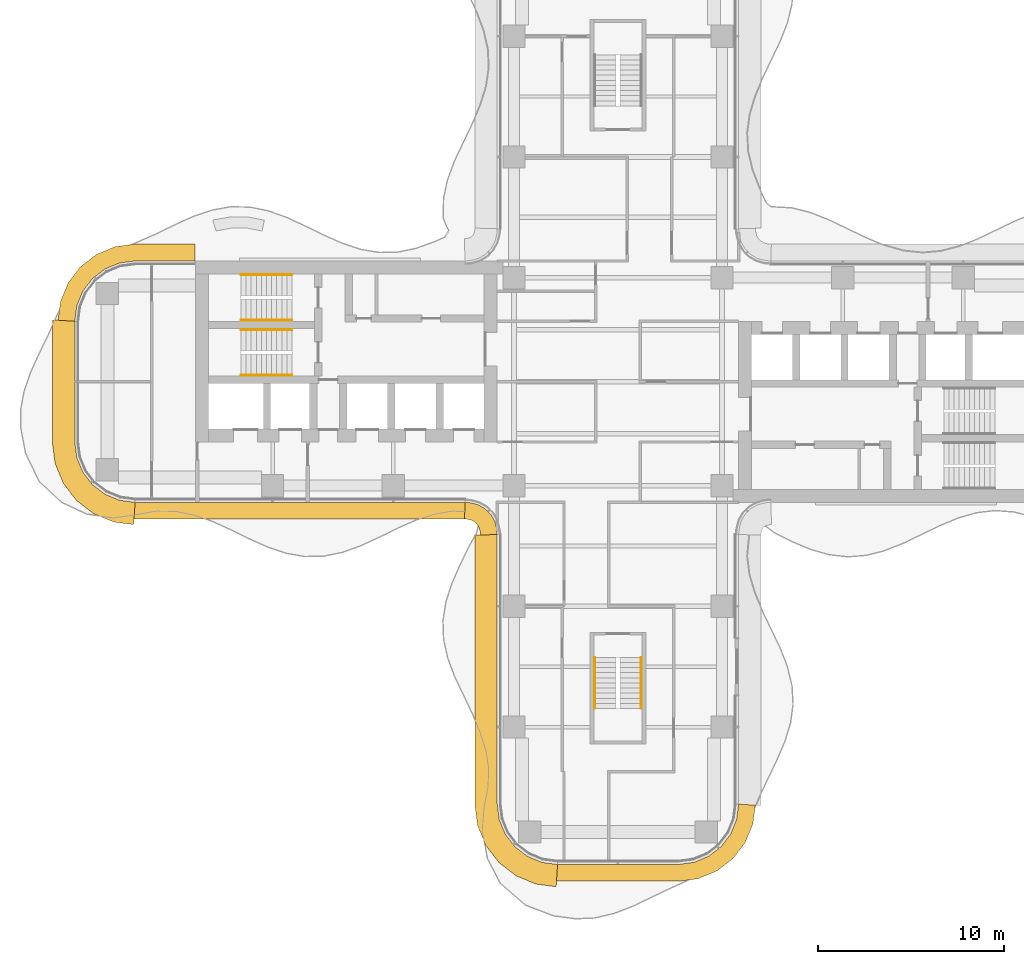
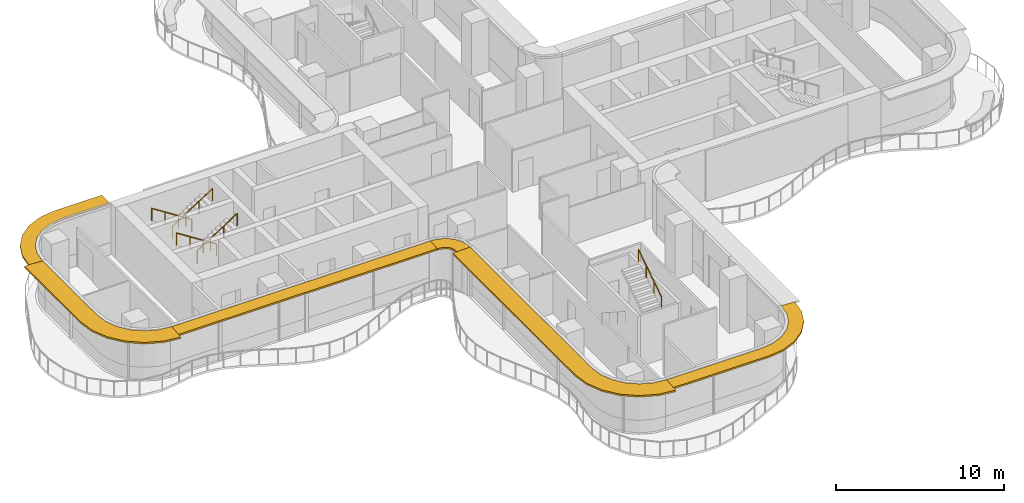
# One storey, part 16 of 17: 6 railings, 6 shading devices.
"""IFC4 building model written with IfcOpenShell, lengths in metres."""

from ifc_helpers import new_model, si_unit, direction, frame, origin, origin_2d, place, context, subcontext, project, spatial, polyline, circle, outline, extrude, source, transform, mapped, material, layer, layer_set, type_object, element, save


model = new_model("IFC4")

# Units and contexts
model_context = context("Model", 3, precision=1e-05, world=origin(), true_north=direction((0.0, 1.0)))
body_context = subcontext(model_context, "Body", "Model", "MODEL_VIEW")
ifc_project = project(units=[si_unit("LENGTHUNIT", "METRE"), si_unit("AREAUNIT", "SQUARE_METRE"), si_unit("VOLUMEUNIT", "CUBIC_METRE"), si_unit("PLANEANGLEUNIT", "RADIAN"), si_unit("MASSUNIT", "GRAM", prefix="KILO")], contexts=[model_context])

# Site, building, storey
site_placement = place(None, origin())
site = spatial("IfcSite", under=ifc_project, at=site_placement, CompositionType="ELEMENT")
building_placement = place(site_placement, origin())
building = spatial("IfcBuilding", under=site, at=building_placement, Name="Trellis Farm Tower", CompositionType="ELEMENT")
storey_placement = place(building_placement, frame((0.0, 0.0, 165.89990234375)))
storey = spatial("IfcBuildingStorey", under=building, at=storey_placement, Name="L35", CompositionType="ELEMENT", Elevation=165.89990234375)

# Railings
ifc_material_1 = material(Name="Stainless steel", Category="steel")
railing_type = type_object("IfcRailingType", Name="STAIR HANDRAIL 900", PredefinedType="HANDRAIL", material=ifc_material_1)
shared_shape_1 = source(origin(), body_context, "Body", "SweptSolid", [
    extrude(circle(Radius=0.02392578125, at=origin_2d()), frame((0.0, 0.0, 0.8759765625), z_axis=(0.0, 0.840503830235, 0.541805602924), x_axis=(-1.0, 0.0, 0.0)), (0.0, 0.0, 1.0), 3.271728515625),
    extrude(circle(Radius=0.02099609375, at=origin_2d()), origin(), (0.0, 0.0, 1.0), 0.851806640625),
    extrude(circle(Radius=0.02099609375, at=origin_2d()), frame((0.0, 0.916748046875, 0.5908203125)), (0.0, 0.0, 1.0), 0.851806640625),
    extrude(circle(Radius=0.02099609375, at=origin_2d()), frame((0.0, 1.833251953125, 1.181884765625)), (0.0, 0.0, 1.0), 0.851806640625),
    extrude(circle(Radius=0.02099609375, at=origin_2d()), frame((0.0, 2.75, 1.772705078125)), (0.0, 0.0, 1.0), 0.851806640625),
])
railing_1_placement = place(storey_placement, frame((1.25, -17.60009765625, 2.12744140625)))
element("IfcRailing", 1, at=railing_1_placement, inside=storey, type_object=railing_type, Name="Stair handrail", PredefinedType="HANDRAIL", context=body_context, shape_type="MappedRepresentation", body=[
    mapped(shared_shape_1, transform((0.0, 0.0, 0.0))),
])
shared_shape_2 = source(origin(), body_context, "Body", "SweptSolid", [
    extrude(circle(Radius=0.02392578125, at=origin_2d()), frame((0.0, 0.0, 0.8759765625), z_axis=(0.0, -0.840503830235, 0.541805602924), x_axis=(1.0, 0.0, 0.0)), (0.0, 0.0, 1.0), 3.271728515625),
    extrude(circle(Radius=0.02099609375, at=origin_2d()), origin(), (0.0, 0.0, 1.0), 0.851806640625),
    extrude(circle(Radius=0.02099609375, at=origin_2d()), frame((0.0, -0.916748046875, 0.5908203125)), (0.0, 0.0, 1.0), 0.851806640625),
    extrude(circle(Radius=0.02099609375, at=origin_2d()), frame((0.0, -1.833251953125, 1.181884765625)), (0.0, 0.0, 1.0), 0.851806640625),
    extrude(circle(Radius=0.02099609375, at=origin_2d()), frame((0.0, -2.75, 1.772705078125)), (0.0, 0.0, 1.0), 0.851806640625),
])
railing_2_placement = place(storey_placement, frame((-1.25, -14.85009765625, 0.177490234375)))
element("IfcRailing", 2, at=railing_2_placement, inside=storey, type_object=railing_type, Name="Stair handrail", PredefinedType="HANDRAIL", context=body_context, shape_type="MappedRepresentation", body=[
    mapped(shared_shape_2, transform((0.0, 0.0, 0.0))),
])
shared_shape_3 = source(origin(), body_context, "Body", "SweptSolid", [
    extrude(circle(Radius=0.02392578125, at=origin_2d()), frame((0.0, 0.0, 0.8759765625), z_axis=(0.840503830235, 0.0, 0.541805602924), x_axis=(0.0, 1.0, 0.0)), (0.0, 0.0, 1.0), 3.271728515625),
    extrude(circle(Radius=0.02099609375, at=origin_2d()), origin(), (0.0, 0.0, 1.0), 0.851806640625),
    extrude(circle(Radius=0.02099609375, at=origin_2d()), frame((0.916748046875, 0.0, 0.5908203125)), (0.0, 0.0, 1.0), 0.851806640625),
    extrude(circle(Radius=0.02099609375, at=origin_2d()), frame((1.833251953125, 0.0, 1.181884765625)), (0.0, 0.0, 1.0), 0.851806640625),
    extrude(circle(Radius=0.02099609375, at=origin_2d()), frame((2.75, 0.0, 1.772705078125)), (0.0, 0.0, 1.0), 0.851806640625),
])
for number, where, name in (
    (3, (-20.300048828125, 3.300048828125, 2.12744140625), "Stair handrail"),
    (4, (-20.300048828125, 0.35009765625, 2.12744140625), "Stair handrail"),
):
    element("IfcRailing", number, at=place(storey_placement, frame(where)), inside=storey, type_object=railing_type, Name=name, PredefinedType="HANDRAIL", context=body_context, shape_type="MappedRepresentation", body=[
        mapped(shared_shape_3, transform((0.0, 0.0, 0.0))),
    ])
shared_shape_4 = source(origin(), body_context, "Body", "SweptSolid", [
    extrude(circle(Radius=0.02392578125, at=origin_2d()), frame((0.0, 0.0, 0.8759765625), z_axis=(-0.840503830235, 0.0, 0.541805602924), x_axis=(0.0, -1.0, 0.0)), (0.0, 0.0, 1.0), 3.271728515625),
    extrude(circle(Radius=0.02099609375, at=origin_2d()), origin(), (0.0, 0.0, 1.0), 0.851806640625),
    extrude(circle(Radius=0.02099609375, at=origin_2d()), frame((-0.916748046875, 0.0, 0.5908203125)), (0.0, 0.0, 1.0), 0.851806640625),
    extrude(circle(Radius=0.02099609375, at=origin_2d()), frame((-1.833251953125, 0.0, 1.181884765625)), (0.0, 0.0, 1.0), 0.851806640625),
    extrude(circle(Radius=0.02099609375, at=origin_2d()), frame((-2.75, 0.0, 1.772705078125)), (0.0, 0.0, 1.0), 0.851806640625),
])
for number, where, name in (
    (5, (-17.550048828125, 5.75, 0.177490234375), "Stair handrail"),
    (6, (-17.550048828125, 2.800048828125, 0.177490234375), "Stair handrail"),
):
    element("IfcRailing", number, at=place(storey_placement, frame(where)), inside=storey, type_object=railing_type, Name=name, PredefinedType="HANDRAIL", context=body_context, shape_type="MappedRepresentation", body=[
        mapped(shared_shape_4, transform((0.0, 0.0, 0.0))),
    ])

# Shading devices
ifc_material_2 = material(Name="Aluminium extrusion 6063-T6", Category="aluminium")
ifc_layer_1 = layer(ifc_material_2, 0.1201171875)
ifc_layer_set_1 = layer_set([ifc_layer_1], Name="SUNSHADE BLADE 900")
shading_device_type_1 = type_object("IfcShadingDeviceType", Name="SUNSHADE BLADE 900", PredefinedType="USERDEFINED", material=ifc_layer_set_1)
shared_shape_5 = source(origin(), body_context, "Body", "SweptSolid", [
    extrude(outline(polyline([(-8.2607421875, -7.39990234375), (-8.107666015625, -7.409912109375), (-8.091552734375, -7.412109375), (-7.85595703125, -7.475341796875), (-7.697021484375, -7.567138671875), (-7.567138671875, -7.697021484375), (-7.475341796875, -7.85595703125), (-7.412109375, -8.091552734375), (-7.409912109375, -8.107666015625), (-7.39990234375, -8.2607421875), (-6.5, -8.2314453125), (-6.513916015625, -8.01953125), (-6.527587890625, -7.91552734375), (-6.63671875, -7.508544921875), (-6.846923828125, -7.144287109375), (-7.144287109375, -6.846923828125), (-7.508544921875, -6.63671875), (-7.91552734375, -6.527587890625), (-8.01953125, -6.513916015625), (-8.2314453125, -6.5), (-8.2607421875, -7.39990234375)])), origin(), (0.0, 0.0, 1.0), 0.1201171875),
])
placement = place(storey_placement, frame((0.0, 0.0, 3.5400390625)))
element("IfcShadingDevice", 7, at=placement, inside=storey, type_object=shading_device_type_1, Name="SD1 002", ObjectType="SUNSHADE", PredefinedType="USERDEFINED", context=body_context, shape_type="MappedRepresentation", body=[
    mapped(shared_shape_5, transform((0.0, 0.0, 0.0))),
])
ifc_layer_2 = layer(ifc_material_2, 0.1201171875)
ifc_layer_set_2 = layer_set([ifc_layer_2], Name="SUNSHADE BLADE 1200")
shading_device_type_2 = type_object("IfcShadingDeviceType", Name="SUNSHADE BLADE 1200", PredefinedType="USERDEFINED", material=ifc_layer_set_2)
shared_shape_6 = source(origin(), body_context, "Body", "SweptSolid", [
    extrude(outline(polyline([(-7.699951171875, -8.270751953125), (-7.699951171875, -22.82861328125), (-7.558349609375, -23.904541015625), (-7.11279296875, -24.980224609375), (-6.404052734375, -25.904052734375), (-5.480224609375, -26.61279296875), (-4.404541015625, -27.058349609375), (-3.32861328125, -27.199951171875), (-3.25, -26.0), (-4.091064453125, -25.88916015625), (-4.875, -25.564697265625), (-5.548095703125, -25.048095703125), (-6.064697265625, -24.375), (-6.38916015625, -23.591064453125), (-6.5, -22.75), (-6.5, -8.2314453125), (-7.699951171875, -8.270751953125)])), origin(), (0.0, 0.0, 1.0), 0.1201171875),
])
element("IfcShadingDevice", 8, at=placement, inside=storey, type_object=shading_device_type_2, Name="SD2 003", ObjectType="SUNSHADE", PredefinedType="USERDEFINED", context=body_context, shape_type="MappedRepresentation", body=[
    mapped(shared_shape_6, transform((0.0, 0.0, 0.0))),
])
shared_shape_7 = source(origin(), body_context, "Body", "SweptSolid", [
    extrude(outline(polyline([(-3.30908203125, -26.89990234375), (3.30908203125, -26.89990234375), (4.326171875, -26.76611328125), (5.328857421875, -26.350830078125), (6.18994140625, -25.68994140625), (6.850830078125, -24.828857421875), (7.26611328125, -23.826171875), (7.39990234375, -22.80908203125), (6.5, -22.75), (6.38916015625, -23.591064453125), (6.064697265625, -24.375), (5.548095703125, -25.048095703125), (4.875, -25.564697265625), (4.091064453125, -25.88916015625), (3.25, -26.0), (-3.25, -26.0), (-3.30908203125, -26.89990234375)])), origin(), (0.0, 0.0, 1.0), 0.1201171875),
])
element("IfcShadingDevice", 9, at=placement, inside=storey, type_object=shading_device_type_1, Name="SD1 004", ObjectType="SUNSHADE", PredefinedType="USERDEFINED", context=body_context, shape_type="MappedRepresentation", body=[
    mapped(shared_shape_7, transform((0.0, 0.0, 0.0))),
])
shared_shape_8 = source(origin(), body_context, "Body", "SweptSolid", [
    extrude(outline(polyline([(-26.05908203125, -7.39990234375), (-8.2607421875, -7.39990234375), (-8.2314453125, -6.5), (-26.0, -6.5), (-26.05908203125, -7.39990234375)])), origin(), (0.0, 0.0, 1.0), 0.1201171875),
])
element("IfcShadingDevice", 10, at=placement, inside=storey, type_object=shading_device_type_1, Name="SD1 001", ObjectType="SUNSHADE", PredefinedType="USERDEFINED", context=body_context, shape_type="MappedRepresentation", body=[
    mapped(shared_shape_8, transform((0.0, 0.0, 0.0))),
])
shared_shape_9 = source(origin(), body_context, "Body", "SweptSolid", [
    extrude(outline(polyline([(-22.780029296875, 7.39990234375), (-26.05908203125, 7.39990234375), (-27.076171875, 7.26611328125), (-28.078857421875, 6.850830078125), (-28.93994140625, 6.18994140625), (-29.600830078125, 5.328857421875), (-30.01611328125, 4.326171875), (-30.14990234375, 3.30908203125), (-29.25, 3.25), (-29.13916015625, 4.091064453125), (-28.814697265625, 4.875), (-28.298095703125, 5.548095703125), (-27.625, 6.064697265625), (-26.841064453125, 6.38916015625), (-26.0, 6.5), (-22.780029296875, 6.5), (-22.780029296875, 7.39990234375)])), origin(), (0.0, 0.0, 1.0), 0.1201171875),
])
element("IfcShadingDevice", 11, at=placement, inside=storey, type_object=shading_device_type_1, Name="SD1 015", ObjectType="SUNSHADE", PredefinedType="USERDEFINED", context=body_context, shape_type="MappedRepresentation", body=[
    mapped(shared_shape_9, transform((0.0, 0.0, 0.0))),
])
shared_shape_10 = source(origin(), body_context, "Body", "SweptSolid", [
    extrude(outline(polyline([(-30.449951171875, 3.32861328125), (-30.449951171875, -3.32861328125), (-30.308349609375, -4.404541015625), (-29.86279296875, -5.480224609375), (-29.154052734375, -6.404052734375), (-28.230224609375, -7.11279296875), (-27.154541015625, -7.558349609375), (-26.07861328125, -7.699951171875), (-26.0, -6.5), (-26.841064453125, -6.38916015625), (-27.625, -6.064697265625), (-28.298095703125, -5.548095703125), (-28.814697265625, -4.875), (-29.13916015625, -4.091064453125), (-29.25, -3.25), (-29.25, 3.25), (-30.449951171875, 3.32861328125)])), origin(), (0.0, 0.0, 1.0), 0.1201171875),
])
element("IfcShadingDevice", 12, at=placement, inside=storey, type_object=shading_device_type_2, Name="SD2 016", ObjectType="SUNSHADE", PredefinedType="USERDEFINED", context=body_context, shape_type="MappedRepresentation", body=[
    mapped(shared_shape_10, transform((0.0, 0.0, 0.0))),
])

save(model, "model.ifc")
